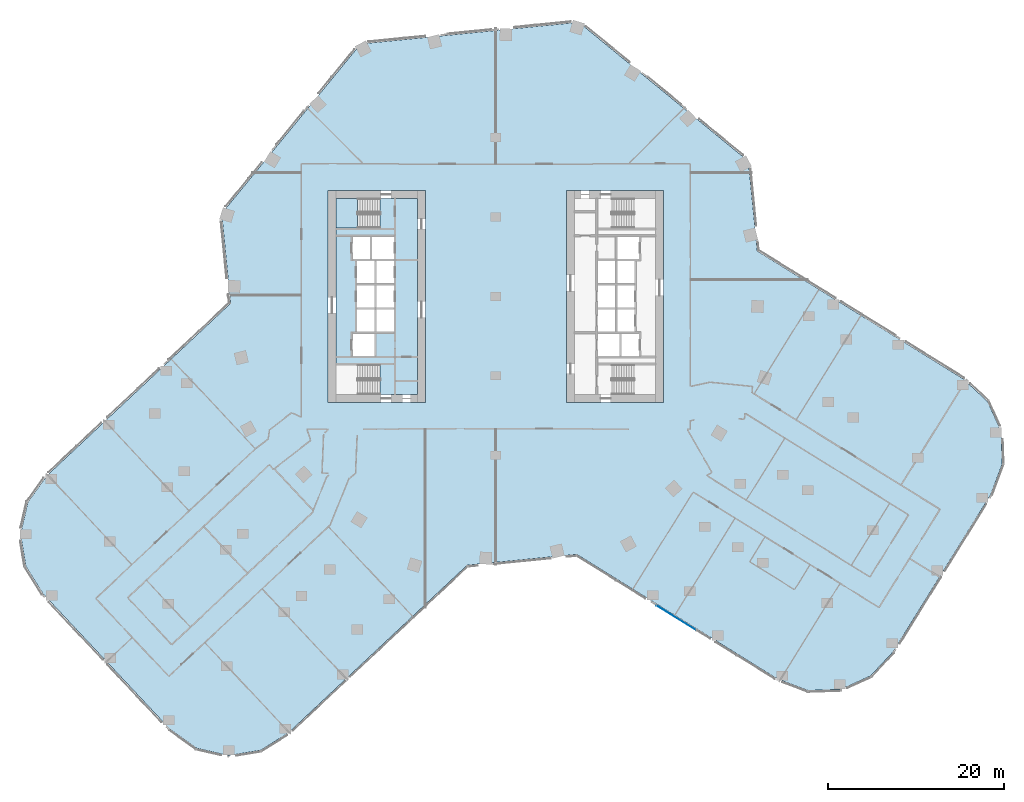
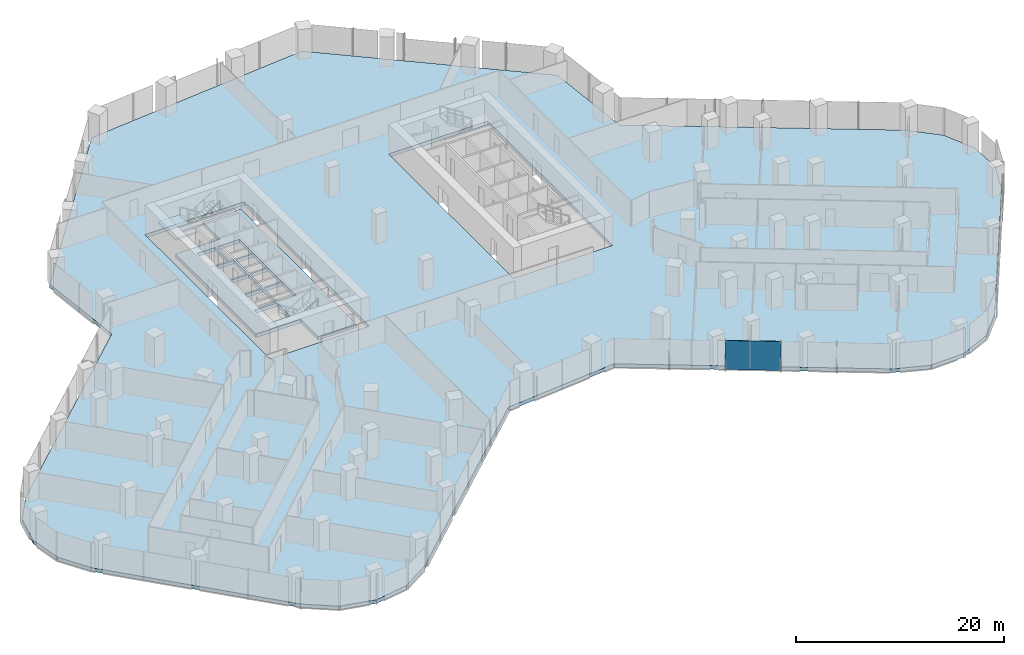
# One storey, part 20 of 33: 3 slabs, 1 plate, 2 elements without a shape of their own.
"""IFC4 building model written with IfcOpenShell, lengths in metres."""

from ifc_helpers import new_model, si_unit, direction, frame, origin, origin_2d, place, context, subcontext, project, spatial, polyline, rectangle, outline, extrude, material, layer, layer_set, type_object, element, aggregate, save


model = new_model("IFC4")

# Units and contexts
model_context = context("Model", 3, precision=1e-05, world=origin(), true_north=direction((0.0, 1.0)))
body_context = subcontext(model_context, "Body", "Model", "MODEL_VIEW")
ifc_project = project(units=[si_unit("LENGTHUNIT", "METRE"), si_unit("AREAUNIT", "SQUARE_METRE"), si_unit("VOLUMEUNIT", "CUBIC_METRE"), si_unit("PLANEANGLEUNIT", "RADIAN"), si_unit("MASSUNIT", "GRAM", prefix="KILO")], contexts=[model_context])

# Site, building, storey
site_placement = place(None, origin())
site = spatial("IfcSite", under=ifc_project, at=site_placement, CompositionType="ELEMENT")
building_placement = place(site_placement, origin())
building = spatial("IfcBuilding", under=site, at=building_placement, Name="Orlundy Tower", CompositionType="ELEMENT")
storey_placement = place(building_placement, frame((0.0, 0.0, 51.300048828125)))
storey = spatial("IfcBuildingStorey", under=building, at=storey_placement, Name="L11", CompositionType="ELEMENT", Elevation=51.300048828125)

# Curtain wall, plate
ifc_material_1 = material(Name="Aluminium bronze anodised", Category="aluminium")
curtain_wall_type = type_object("IfcCurtainWallType", Name="CW1 wall", PredefinedType="NOTDEFINED", material=ifc_material_1)
curtain_wall_placement = place(storey_placement, origin())
curtain_wall = element("IfcCurtainWall", 1, at=curtain_wall_placement, inside=storey, type_object=curtain_wall_type, Name="CW1 run 016", PredefinedType="NOTDEFINED")
ifc_material_2 = material(Name="Tinted glass", Category="glass")
ifc_layer_1 = layer(ifc_material_2, 0.031982421875)
ifc_layer_set_1 = layer_set([ifc_layer_1], Name="CW1 glass panel 32")
plate_type = type_object("IfcPlateType", Name="CW1 glass panel 32", PredefinedType="CURTAIN_PANEL", material=ifc_layer_set_1)
plate_placement = place(storey_placement, frame((20.466064453125, -36.43994140625, -0.300048828125), z_axis=(0.0, 0.0, 1.0), x_axis=(-0.849586512969, 0.52744929328, 0.0)))
plate = element("IfcPlate", 2, at=plate_placement, type_object=plate_type, Name="CW1 panel", PredefinedType="CURTAIN_PANEL", context=body_context, shape_type="SweptSolid", body=[
    extrude(rectangle(XDim=5.306640625, YDim=0.031982421875, at=origin_2d()), origin(), (0.0, 0.0, 1.0), 3.39990234375),
])
aggregate(curtain_wall, [plate])

# Slab
ifc_material_3 = material(Name="Concrete C50/60", Category="concrete")
ifc_layer_2 = layer(ifc_material_3, 0.419921875)
ifc_layer_set_2 = layer_set([ifc_layer_2], Name="Core Floor Slab 420")
slab_type_1 = type_object("IfcSlabType", Name="Core Floor Slab 420", PredefinedType="FLOOR", material=ifc_layer_set_2)
slab_1_placement = place(storey_placement, frame((0.0, 0.0, -0.420166015625)))
element("IfcSlab", 3, at=slab_1_placement, inside=storey, type_object=slab_type_1, Name="Core floor W10", PredefinedType="FLOOR", context=body_context, shape_type="SweptSolid", body=[
    extrude(outline(polyline([(-13.14501953125, 7.75), (-13.14501953125, 11.10009765625), (-8.89990234375, 11.10009765625), (-8.89990234375, -11.10009765625), (-13.14501953125, -11.10009765625), (-13.14501953125, -7.75), (-18.10009765625, -7.75), (-18.10009765625, 7.75), (-13.14501953125, 7.75)]), holes=[polyline([(-16.239990234375, -6.77490234375), (-13.739990234375, -6.77490234375), (-13.739990234375, -4.22509765625), (-16.239990234375, -4.22509765625), (-16.239990234375, -6.77490234375)]), polyline([(-13.5400390625, -1.47509765625), (-13.5400390625, -4.02490234375), (-11.5400390625, -4.02490234375), (-11.5400390625, -1.47509765625), (-13.5400390625, -1.47509765625)]), polyline([(-13.739990234375, -1.47509765625), (-15.739990234375, -1.47509765625), (-15.739990234375, -4.02490234375), (-13.739990234375, -4.02490234375), (-13.739990234375, -1.47509765625)]), polyline([(-11.5400390625, -1.27490234375), (-11.5400390625, 1.27490234375), (-13.5400390625, 1.27490234375), (-13.5400390625, -1.27490234375), (-11.5400390625, -1.27490234375)]), polyline([(-15.739990234375, -1.27490234375), (-13.739990234375, -1.27490234375), (-13.739990234375, 1.27490234375), (-15.739990234375, 1.27490234375), (-15.739990234375, -1.27490234375)]), polyline([(-13.5400390625, 4.02490234375), (-13.5400390625, 1.47509765625), (-11.5400390625, 1.47509765625), (-11.5400390625, 4.02490234375), (-13.5400390625, 4.02490234375)]), polyline([(-13.739990234375, 4.02490234375), (-15.739990234375, 4.02490234375), (-15.739990234375, 1.47509765625), (-13.739990234375, 1.47509765625), (-13.739990234375, 4.02490234375)]), polyline([(-11.5400390625, 4.22509765625), (-11.5400390625, 6.77490234375), (-14.0400390625, 6.77490234375), (-14.0400390625, 4.22509765625), (-11.5400390625, 4.22509765625)]), polyline([(-16.239990234375, 4.22509765625), (-14.239990234375, 4.22509765625), (-14.239990234375, 6.77490234375), (-16.239990234375, 6.77490234375), (-16.239990234375, 4.22509765625)])]), origin(), (0.0, 0.0, 1.0), 0.420166015625),
])

# Stair, slab
ifc_material_4 = material(Name="Concrete C50/60", Category="concrete")
stair_type = type_object("IfcStairType", Name="Exit Stair 20 risers", PredefinedType="HALF_TURN_STAIR", material=ifc_material_4)
stair_placement = place(storey_placement, origin())
stair = element("IfcStair", 4, at=stair_placement, inside=storey, type_object=stair_type, Name="L11 Exit Stair ST-W1", PredefinedType="HALF_TURN_STAIR")
ifc_material_5 = material(Name="Concrete C50/60", Category="concrete")
ifc_layer_3 = layer(ifc_material_5, 0.199951171875)
ifc_layer_set_3 = layer_set([ifc_layer_3], Name="Exit Stair Landing")
slab_type_2 = type_object("IfcSlabType", Name="Exit Stair Landing", PredefinedType="LANDING", material=ifc_layer_set_3)
slab_2_placement = place(storey_placement, frame((0.0, 0.0, 1.550048828125)))
slab_2 = element("IfcSlab", 5, at=slab_2_placement, type_object=slab_type_2, Name="ST-W1 landing 1", PredefinedType="LANDING", context=body_context, shape_type="SweptSolid", body=[
    extrude(outline(polyline([(-15.659912109375, 11.10009765625), (-18.10009765625, 11.10009765625), (-18.10009765625, 7.75), (-15.659912109375, 7.75), (-15.659912109375, 11.10009765625)])), origin(), (0.0, 0.0, 1.0), 0.199951171875),
])
aggregate(stair, [slab_2])

# Slab
ifc_material_6 = material(Name="Concrete C45/55", Category="concrete")
ifc_layer_4 = layer(ifc_material_6, 0.419921875)
ifc_layer_set_4 = layer_set([ifc_layer_4], Name="TRANSFER FLOOR SLAB 420 C45/55")
slab_type_3 = type_object("IfcSlabType", Name="TRANSFER FLOOR SLAB 420 C45/55", PredefinedType="FLOOR", material=ifc_layer_set_4)
slab_3_placement = place(storey_placement, frame((0.0, 0.0, -0.420166015625)))
element("IfcSlab", 6, at=slab_3_placement, inside=storey, type_object=slab_type_3, Name="Floor slab L11", PredefinedType="FLOOR", context=body_context, shape_type="SweptSolid", body=[
    extrude(outline(polyline([(-30.070068359375, -0.782958984375), (-31.080078125, 9.403076171875), (-15.327880859375, 28.6259765625), (9.403076171875, 31.080078125), (28.6259765625, 15.327880859375), (29.636962890625, 5.14111328125), (53.028076171875, -9.381103515625), (55.736083984375, -11.9130859375), (57.26806640625, -15.2880859375), (57.39208984375, -18.992919921875), (56.089111328125, -22.462890625), (45.011962890625, -40.303955078125), (42.47998046875, -43.010986328125), (39.10498046875, -44.54296875), (35.39990234375, -44.6669921875), (31.929931640625, -43.364013671875), (9.175048828125, -29.237060546875), (-3.25, -30.469970703125), (-23.514892578125, -49.47802734375), (-26.662109375, -51.43701171875), (-30.318115234375, -52.0439453125), (-33.928955078125, -51.205078125), (-36.943115234375, -49.048095703125), (-51.31005859375, -33.73095703125), (-53.27001953125, -30.5849609375), (-53.8759765625, -26.927978515625), (-53.037109375, -23.31689453125), (-50.8798828125, -20.302978515625), (-30.070068359375, -0.782958984375)]), holes=[polyline([(-8.0, -12.0), (-8.0, 12.0), (-19.0, 12.0), (-19.0, -12.0), (-8.0, -12.0)]), polyline([(19.0, -12.0), (19.0, 12.0), (8.0, 12.0), (8.0, -12.0), (19.0, -12.0)])]), origin(), (0.0, 0.0, 1.0), 0.420166015625),
])

save(model, "model.ifc")
